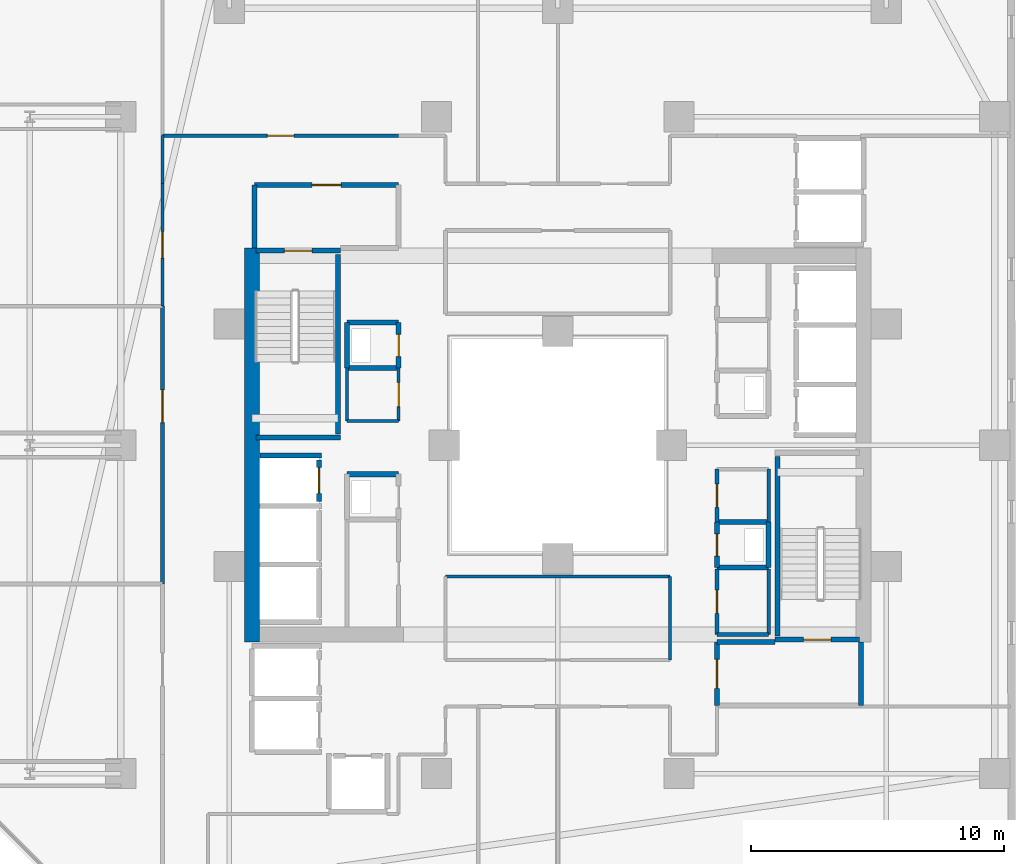
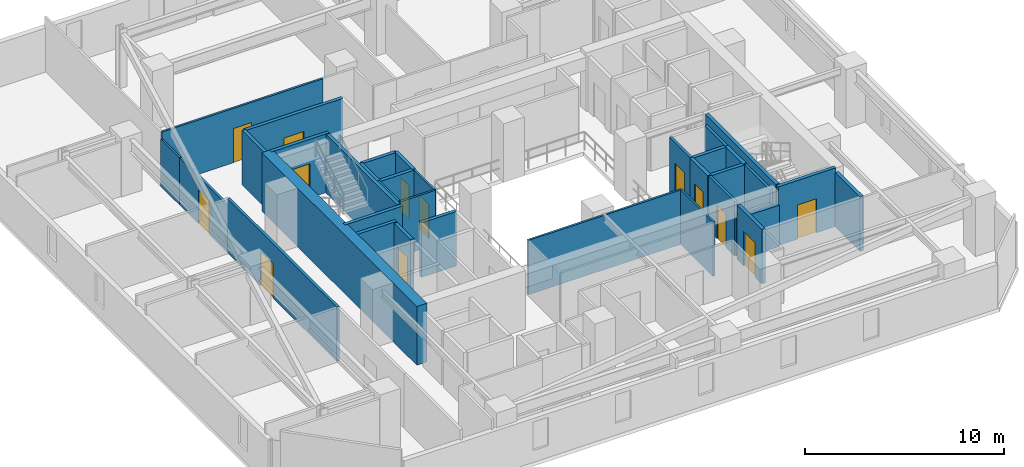
# One storey, part 22 of 31: 36 walls, 13 doors, 13 openings.
"""IFC4 building model written with IfcOpenShell, lengths in metres."""

from ifc_helpers import new_model, si_unit, direction, frame, frame_2d, origin, place, context, subcontext, project, spatial, rectangle, extrude, material, layer, layer_set, type_object, element, fill, save


model = new_model("IFC4")

# Units and contexts
model_context = context("Model", 3, precision=1e-05, world=origin(), true_north=direction((0.0, 1.0)))
body_context = subcontext(model_context, "Body", "Model", "MODEL_VIEW")
ifc_project = project(units=[si_unit("LENGTHUNIT", "METRE"), si_unit("AREAUNIT", "SQUARE_METRE"), si_unit("VOLUMEUNIT", "CUBIC_METRE"), si_unit("PLANEANGLEUNIT", "RADIAN"), si_unit("MASSUNIT", "GRAM", prefix="KILO")], contexts=[model_context])

# Site, building, storey
site_placement = place(None, origin())
site = spatial("IfcSite", under=ifc_project, at=site_placement, CompositionType="ELEMENT")
building_placement = place(site_placement, origin())
building = spatial("IfcBuilding", under=site, at=building_placement, Name="Thornwick Lancets Civic Towers", CompositionType="ELEMENT")
storey_placement = place(building_placement, frame((0.0, 0.0, 90.89990234375)))
storey = spatial("IfcBuildingStorey", under=building, at=storey_placement, Name="L23", CompositionType="ELEMENT", Elevation=90.89990234375)

# Wall, opening, door
ifc_material_1 = material(Name="Concrete blockwork C40/50", Category="masonry")
ifc_layer_1 = layer(ifc_material_1, 0.199951171875, Name="Concrete blockwork C40/50")
ifc_layer_set_1 = layer_set([ifc_layer_1], Name="Concrete blockwork C40/50")
wall_type_1 = type_object("IfcWallType", Name="WALL_COMP_200", PredefinedType="STANDARD", material=ifc_layer_set_1)
wall_1_placement = place(storey_placement, frame((79.050048828125, 24.780029296875, 0.0), z_axis=(0.0, 0.0, 1.0), x_axis=(0.0, 1.0, 0.0)))
wall_1 = element("IfcWall", 1, at=wall_1_placement, inside=storey, type_object=wall_type_1, Name="L23 Hoistway Front Wall FL-B2", PredefinedType="STANDARD", context=body_context, shape_type="SweptSolid", body=[
    extrude(rectangle(XDim=1.639892578125, YDim=0.199951171875, at=frame_2d((0.81982421875, 0.0))), origin(), (0.0, 0.0, 1.0), 3.340087890625),
])
opening_1_placement = place(wall_1_placement, frame((0.31005859375, 0.0, 0.0)))
opening_1 = element("IfcOpeningElement", 2, at=opening_1_placement, cuts=wall_1, Name="Opening LD-FL-B2", PredefinedType="OPENING", context=body_context, shape_type="SweptSolid", body=[
    extrude(rectangle(XDim=1.02001953125, YDim=2.06005859375, at=frame_2d((0.510009765625, 1.030029296875))), frame((0.0, 0.10986328125, 0.0), z_axis=(0.0, -1.0, 0.0), x_axis=(1.0, 0.0, 0.0)), (0.0, 0.0, 1.0), 0.219970703125),
])
ifc_material_2 = material(Name="Brushed bronze stainless steel", Category="steel")
door_type_1 = type_object("IfcDoorType", Name="DOOR_LIFT_SLIDE", OperationType="SLIDING_TO_LEFT", PredefinedType="DOOR", material=ifc_material_2)
door_1_placement = place(opening_1_placement, origin())
door_1 = element("IfcDoor", 3, at=door_1_placement, inside=storey, type_object=door_type_1, Name="L23 Sliding Lift Landing Door LD-FL-B2", OperationType="SLIDING_TO_LEFT", OverallHeight=2.06005859375, OverallWidth=1.02001953125, PredefinedType="DOOR", context=body_context, shape_type="SweptSolid", body=[
    extrude(rectangle(XDim=1.02001953125, YDim=2.06005859375, at=frame_2d((0.510009765625, 1.030029296875))), frame((0.0, 0.02490234375, 0.0), z_axis=(0.0, -1.0, 0.0), x_axis=(1.0, 0.0, 0.0)), (0.0, 0.0, 1.0), 0.050048828125),
])
fill(opening_1, door_1)

# Walls
wall_2_placement = place(storey_placement, frame((76.7119140625, 26.60009765625, 0.0), z_axis=(0.0, 0.0, 1.0), x_axis=(1.0, 0.0, 0.0)))
element("IfcWall", 4, at=wall_2_placement, inside=storey, type_object=wall_type_1, Name="L23 Hoistway Shaft Wall FL-B2 N", PredefinedType="STANDARD", context=body_context, shape_type="SweptSolid", body=[
    extrude(rectangle(XDim=2.43603515625, YDim=0.199951171875, at=frame_2d((1.218017578125, 0.0))), origin(), (0.0, 0.0, 1.0), 3.340087890625),
])
wall_3_placement = place(storey_placement, frame((100.5, 16.699951171875, 0.0), z_axis=(0.0, 0.0, 1.0), x_axis=(0.0, 1.0, 0.0)))
element("IfcWall", 5, at=wall_3_placement, inside=storey, type_object=wall_type_1, Name="L23 Partition L23-B-FFLOB1 E2", PredefinedType="STANDARD", context=body_context, shape_type="SweptSolid", body=[
    extrude(rectangle(XDim=2.5, YDim=0.199951171875, at=frame_2d((1.25, 0.0))), origin(), (0.0, 0.0, 1.0), 3.340087890625),
])
wall_4_placement = place(storey_placement, frame((97.10009765625, 19.199951171875, 0.0), z_axis=(0.0, 0.0, 1.0), x_axis=(-1.0, 0.0, 0.0)))
element("IfcWall", 6, at=wall_4_placement, inside=storey, type_object=wall_type_1, Name="L23 Partition L23-B-FFLOB1 E3", PredefinedType="STANDARD", context=body_context, shape_type="SweptSolid", body=[
    extrude(rectangle(XDim=2.300048828125, YDim=0.199951171875, at=frame_2d((1.14990234375, 0.0))), origin(), (0.0, 0.0, 1.0), 2.545166015625),
])

# Wall, opening, door
wall_5_placement = place(storey_placement, frame((94.800048828125, 19.199951171875, 0.0), z_axis=(0.0, 0.0, 1.0), x_axis=(0.0, -1.0, 0.0)))
wall_5 = element("IfcWall", 7, at=wall_5_placement, inside=storey, type_object=wall_type_1, Name="L23 Partition L23-B-FFLOB1 E4", PredefinedType="STANDARD", context=body_context, shape_type="SweptSolid", body=[
    extrude(rectangle(XDim=2.5, YDim=0.199951171875, at=frame_2d((1.25, 0.0))), origin(), (0.0, 0.0, 1.0), 3.340087890625),
])
opening_2_placement = place(wall_5_placement, frame((0.675048828125, 0.0, 0.0)))
opening_2 = element("IfcOpeningElement", 8, at=opening_2_placement, cuts=wall_5, Name="Opening D-L23-1069", PredefinedType="OPENING", context=body_context, shape_type="SweptSolid", body=[
    extrude(rectangle(XDim=1.14990234375, YDim=2.10009765625, at=frame_2d((0.574951171875, 1.050048828125))), frame((0.0, 0.10986328125, 0.0), z_axis=(0.0, -1.0, 0.0), x_axis=(1.0, 0.0, 0.0)), (0.0, 0.0, 1.0), 0.219970703125),
])
ifc_material_3 = material(Name="Glazed fire-resisting steel", Category="steel")
door_type_2 = type_object("IfcDoorType", Name="DOOR_LOBBY_FD60", OperationType="NOTDEFINED", PredefinedType="DOOR", material=ifc_material_3)
door_2_placement = place(opening_2_placement, origin())
door_2 = element("IfcDoor", 9, at=door_2_placement, inside=storey, type_object=door_type_2, Name="L23 East Firefighting Lobby 1 Door", OperationType="SINGLE_SWING_RIGHT", OverallHeight=2.10009765625, OverallWidth=1.14990234375, PredefinedType="DOOR", context=body_context, shape_type="SweptSolid", body=[
    extrude(rectangle(XDim=1.14990234375, YDim=2.10009765625, at=frame_2d((0.574951171875, 1.050048828125))), frame((0.0, 0.02490234375, 0.0), z_axis=(0.0, -1.0, 0.0), x_axis=(1.0, 0.0, 0.0)), (0.0, 0.0, 1.0), 0.050048828125),
])
fill(opening_2, door_2)

wall_6_placement = place(storey_placement, frame((82.199951171875, 37.300048828125, 0.0), z_axis=(0.0, 0.0, 1.0), x_axis=(-1.0, 0.0, 0.0)))
wall_6 = element("IfcWall", 10, at=wall_6_placement, inside=storey, type_object=wall_type_1, Name="L23 Partition L23-B-FFLOB2 E3", PredefinedType="STANDARD", context=body_context, shape_type="SweptSolid", body=[
    extrude(rectangle(XDim=5.699951171875, YDim=0.199951171875, at=frame_2d((2.85009765625, 0.0))), origin(), (0.0, 0.0, 1.0), 3.340087890625),
])
opening_3_placement = place(wall_6_placement, frame((2.27490234375, 0.0, 0.0)))
opening_3 = element("IfcOpeningElement", 11, at=opening_3_placement, cuts=wall_6, Name="Opening D-L23-1070", PredefinedType="OPENING", context=body_context, shape_type="SweptSolid", body=[
    extrude(rectangle(XDim=1.14990234375, YDim=2.10009765625, at=frame_2d((0.574951171875, 1.050048828125))), frame((0.0, 0.10986328125, 0.0), z_axis=(0.0, -1.0, 0.0), x_axis=(1.0, 0.0, 0.0)), (0.0, 0.0, 1.0), 0.219970703125),
])
door_3_placement = place(opening_3_placement, origin())
door_3 = element("IfcDoor", 12, at=door_3_placement, inside=storey, type_object=door_type_2, Name="L23 West Firefighting Lobby 2 Door", OperationType="SINGLE_SWING_LEFT", OverallHeight=2.10009765625, OverallWidth=1.14990234375, PredefinedType="DOOR", context=body_context, shape_type="SweptSolid", body=[
    extrude(rectangle(XDim=1.14990234375, YDim=2.10009765625, at=frame_2d((0.574951171875, 1.050048828125))), frame((0.0, 0.02490234375, 0.0), z_axis=(0.0, -1.0, 0.0), x_axis=(1.0, 0.0, 0.0)), (0.0, 0.0, 1.0), 0.050048828125),
])
fill(opening_3, door_3)

# Walls
wall_7_placement = place(storey_placement, frame((76.5, 37.300048828125, 0.0), z_axis=(0.0, 0.0, 1.0), x_axis=(0.0, -1.0, 0.0)))
element("IfcWall", 13, at=wall_7_placement, inside=storey, type_object=wall_type_1, Name="L23 Partition L23-B-FFLOB2 E4", PredefinedType="STANDARD", context=body_context, shape_type="SweptSolid", body=[
    extrude(rectangle(XDim=2.5, YDim=0.199951171875, at=frame_2d((1.25, 0.0))), origin(), (0.0, 0.0, 1.0), 3.340087890625),
])
wall_8_placement = place(storey_placement, frame((94.800048828125, 22.14990234375, 0.0), z_axis=(0.0, 0.0, 1.0), x_axis=(1.0, 0.0, 0.0)))
element("IfcWall", 14, at=wall_8_placement, inside=storey, type_object=wall_type_1, Name="L23 Partition L23-B-RISER1 E1", PredefinedType="STANDARD", context=body_context, shape_type="SweptSolid", body=[
    extrude(rectangle(XDim=2.050048828125, YDim=0.199951171875, at=frame_2d((1.02490234375, 0.0))), origin(), (0.0, 0.0, 1.0), 3.340087890625),
])
wall_9_placement = place(storey_placement, frame((96.85009765625, 22.14990234375, 0.0), z_axis=(0.0, 0.0, 1.0), x_axis=(0.0, 1.0, 0.0)))
element("IfcWall", 15, at=wall_9_placement, inside=storey, type_object=wall_type_1, Name="L23 Partition L23-B-RISER1 E2", PredefinedType="STANDARD", context=body_context, shape_type="SweptSolid", body=[
    extrude(rectangle(XDim=1.800048828125, YDim=0.199951171875, at=frame_2d((0.89990234375, 0.0))), origin(), (0.0, 0.0, 1.0), 3.340087890625),
])
wall_10_placement = place(storey_placement, frame((96.85009765625, 23.949951171875, 0.0), z_axis=(0.0, 0.0, 1.0), x_axis=(-1.0, 0.0, 0.0)))
element("IfcWall", 16, at=wall_10_placement, inside=storey, type_object=wall_type_1, Name="L23 Partition L23-B-RISER1 E3", PredefinedType="STANDARD", context=body_context, shape_type="SweptSolid", body=[
    extrude(rectangle(XDim=2.050048828125, YDim=0.199951171875, at=frame_2d((1.02490234375, 0.0))), origin(), (0.0, 0.0, 1.0), 3.340087890625),
])

# Wall, opening, door
wall_11_placement = place(storey_placement, frame((94.800048828125, 23.949951171875, 0.0), z_axis=(0.0, 0.0, 1.0), x_axis=(0.0, -1.0, 0.0)))
wall_11 = element("IfcWall", 17, at=wall_11_placement, inside=storey, type_object=wall_type_1, Name="L23 Partition L23-B-RISER1 E4", PredefinedType="STANDARD", context=body_context, shape_type="SweptSolid", body=[
    extrude(rectangle(XDim=1.800048828125, YDim=0.199951171875, at=frame_2d((0.89990234375, 0.0))), origin(), (0.0, 0.0, 1.0), 3.340087890625),
])
opening_4_placement = place(wall_11_placement, frame((0.4599609375, 0.0, 0.0)))
opening_4 = element("IfcOpeningElement", 18, at=opening_4_placement, cuts=wall_11, Name="Opening D-L23-1072", PredefinedType="OPENING", context=body_context, shape_type="SweptSolid", body=[
    extrude(rectangle(XDim=0.8798828125, YDim=2.0400390625, at=frame_2d((0.43994140625, 1.02001953125))), frame((0.0, 0.10986328125, 0.0), z_axis=(0.0, -1.0, 0.0), x_axis=(1.0, 0.0, 0.0)), (0.0, 0.0, 1.0), 0.219970703125),
])
ifc_material_4 = material(Name="Steel riser access doorset", Category="steel")
door_type_3 = type_object("IfcDoorType", Name="DOOR_RISER_850", OperationType="NOTDEFINED", PredefinedType="DOOR", material=ifc_material_4)
door_4_placement = place(opening_4_placement, origin())
door_4 = element("IfcDoor", 19, at=door_4_placement, inside=storey, type_object=door_type_3, Name="L23 East Electrical Riser 1 Door", OperationType="SINGLE_SWING_LEFT", OverallHeight=2.0400390625, OverallWidth=0.8798828125, PredefinedType="DOOR", context=body_context, shape_type="SweptSolid", body=[
    extrude(rectangle(XDim=0.8798828125, YDim=2.0400390625, at=frame_2d((0.43994140625, 1.02001953125))), frame((0.0, 0.02490234375, 0.0), z_axis=(0.0, -1.0, 0.0), x_axis=(1.0, 0.0, 0.0)), (0.0, 0.0, 1.0), 0.050048828125),
])
fill(opening_4, door_4)

# Walls
for number, where, z_axis, x_axis, name in (
    (20, (82.199951171875, 25.85009765625, 0.0), (0.0, 0.0, 1.0), (-1.0, 0.0, 0.0), "L23 Partition L23-B-DUCT2 E3"),
    (21, (80.14990234375, 30.050048828125, 0.0), (0.0, 0.0, 1.0), (1.0, 0.0, 0.0), "L23 Partition L23-B-RISER2 E1"),
):
    element("IfcWall", number, at=place(storey_placement, frame(where, z_axis=z_axis, x_axis=x_axis)), inside=storey, type_object=wall_type_1, Name=name, PredefinedType="STANDARD", context=body_context, shape_type="SweptSolid", body=[
        extrude(rectangle(XDim=2.050048828125, YDim=0.199951171875, at=frame_2d((1.02490234375, 0.0))), origin(), (0.0, 0.0, 1.0), 3.340087890625),
    ])

# Wall, opening, door
wall_12_placement = place(storey_placement, frame((82.199951171875, 30.050048828125, 0.0), z_axis=(0.0, 0.0, 1.0), x_axis=(0.0, 1.0, 0.0)))
wall_12 = element("IfcWall", 22, at=wall_12_placement, inside=storey, type_object=wall_type_1, Name="L23 Partition L23-B-RISER2 E2", PredefinedType="STANDARD", context=body_context, shape_type="SweptSolid", body=[
    extrude(rectangle(XDim=1.800048828125, YDim=0.199951171875, at=frame_2d((0.89990234375, 0.0))), origin(), (0.0, 0.0, 1.0), 3.340087890625),
])
opening_5_placement = place(wall_12_placement, frame((0.4599609375, 0.0, 0.0)))
opening_5 = element("IfcOpeningElement", 23, at=opening_5_placement, cuts=wall_12, Name="Opening D-L23-1074", PredefinedType="OPENING", context=body_context, shape_type="SweptSolid", body=[
    extrude(rectangle(XDim=0.8798828125, YDim=2.0400390625, at=frame_2d((0.43994140625, 1.02001953125))), frame((0.0, 0.10986328125, 0.0), z_axis=(0.0, -1.0, 0.0), x_axis=(1.0, 0.0, 0.0)), (0.0, 0.0, 1.0), 0.219970703125),
])
door_5_placement = place(opening_5_placement, origin())
door_5 = element("IfcDoor", 24, at=door_5_placement, inside=storey, type_object=door_type_3, Name="L23 West Service Riser 2 Door", OperationType="SINGLE_SWING_LEFT", OverallHeight=2.0400390625, OverallWidth=0.8798828125, PredefinedType="DOOR", context=body_context, shape_type="SweptSolid", body=[
    extrude(rectangle(XDim=0.8798828125, YDim=2.0400390625, at=frame_2d((0.43994140625, 1.02001953125))), frame((0.0, 0.02490234375, 0.0), z_axis=(0.0, -1.0, 0.0), x_axis=(1.0, 0.0, 0.0)), (0.0, 0.0, 1.0), 0.050048828125),
])
fill(opening_5, door_5)

# Walls
wall_13_placement = place(storey_placement, frame((82.199951171875, 31.85009765625, 0.0), z_axis=(0.0, 0.0, 1.0), x_axis=(-1.0, 0.0, 0.0)))
element("IfcWall", 25, at=wall_13_placement, inside=storey, type_object=wall_type_1, Name="L23 Partition L23-B-RISER2 E3", PredefinedType="STANDARD", context=body_context, shape_type="SweptSolid", body=[
    extrude(rectangle(XDim=2.050048828125, YDim=0.199951171875, at=frame_2d((1.02490234375, 0.0))), origin(), (0.0, 0.0, 1.0), 3.340087890625),
])
wall_14_placement = place(storey_placement, frame((80.14990234375, 31.85009765625, 0.0), z_axis=(0.0, 0.0, 1.0), x_axis=(0.0, -1.0, 0.0)))
element("IfcWall", 26, at=wall_14_placement, inside=storey, type_object=wall_type_1, Name="L23 Partition L23-B-RISER2 E4", PredefinedType="STANDARD", context=body_context, shape_type="SweptSolid", body=[
    extrude(rectangle(XDim=1.800048828125, YDim=0.199951171875, at=frame_2d((0.89990234375, 0.0))), origin(), (0.0, 0.0, 1.0), 3.340087890625),
])
ifc_material_5 = material(Name="Concrete C60/75", Category="concrete")
ifc_layer_2 = layer(ifc_material_5, 0.60009765625, Name="Concrete C60/75")
ifc_layer_set_2 = layer_set([ifc_layer_2], Name="Concrete C60/75")
wall_type_2 = type_object("IfcWallType", Name="WALL_CORE_600", PredefinedType="SHEAR", material=ifc_layer_set_2)
wall_15_placement = place(storey_placement, frame((76.39990234375, 19.199951171875, 0.0), z_axis=(0.0, 0.0, 1.0), x_axis=(0.0, 1.0, 0.0)))
element("IfcWall", 27, at=wall_15_placement, inside=storey, type_object=wall_type_2, Name="L23 Split Core B2 Shear Wall W", PredefinedType="SHEAR", context=body_context, shape_type="SweptSolid", body=[
    extrude(rectangle(XDim=15.60009765625, YDim=0.60009765625, at=frame_2d((7.800048828125, 0.0))), origin(), (0.0, 0.0, 1.0), 3.60009765625),
])
ifc_material_6 = material(Name="Acoustic gypsum board partition")
ifc_layer_3 = layer(ifc_material_6, 0.1201171875, Name="Acoustic gypsum board partition")
ifc_layer_set_3 = layer_set([ifc_layer_3], Name="Acoustic gypsum board partition")
wall_type_3 = type_object("IfcWallType", Name="WALL_PART_120", PredefinedType="PARTITIONING", material=ifc_layer_set_3)
wall_16_placement = place(storey_placement, frame((82.199951171875, 27.949951171875, 0.0), z_axis=(0.0, 0.0, 1.0), x_axis=(-1.0, 0.0, 0.0)))
element("IfcWall", 28, at=wall_16_placement, inside=storey, type_object=wall_type_3, Name="L23 Partition L23-B-ITR E1", PredefinedType="PARTITIONING", context=body_context, shape_type="SweptSolid", body=[
    extrude(rectangle(XDim=2.050048828125, YDim=0.1201171875, at=frame_2d((1.02490234375, 0.0))), origin(), (0.0, 0.0, 1.0), 3.340087890625),
])
wall_17_placement = place(storey_placement, frame((80.14990234375, 27.949951171875, 0.0), z_axis=(0.0, 0.0, 1.0), x_axis=(0.0, 1.0, 0.0)))
element("IfcWall", 29, at=wall_17_placement, inside=storey, type_object=wall_type_3, Name="L23 Partition L23-B-ITR E2", PredefinedType="PARTITIONING", context=body_context, shape_type="SweptSolid", body=[
    extrude(rectangle(XDim=2.10009765625, YDim=0.1201171875, at=frame_2d((1.050048828125, 0.0))), origin(), (0.0, 0.0, 1.0), 3.340087890625),
])

# Wall, opening, door
wall_18_placement = place(storey_placement, frame((82.199951171875, 30.050048828125, 0.0), z_axis=(0.0, 0.0, 1.0), x_axis=(0.0, -1.0, 0.0)))
wall_18 = element("IfcWall", 30, at=wall_18_placement, inside=storey, type_object=wall_type_3, Name="L23 Partition L23-B-ITR E4", PredefinedType="PARTITIONING", context=body_context, shape_type="SweptSolid", body=[
    extrude(rectangle(XDim=2.10009765625, YDim=0.1201171875, at=frame_2d((1.050048828125, 0.0))), origin(), (0.0, 0.0, 1.0), 3.340087890625),
])
opening_6_placement = place(wall_18_placement, frame((0.574951171875, 0.0, 0.0)))
opening_6 = element("IfcOpeningElement", 31, at=opening_6_placement, cuts=wall_18, Name="Opening D-L23-1080", PredefinedType="OPENING", context=body_context, shape_type="SweptSolid", body=[
    extrude(rectangle(XDim=0.949951171875, YDim=2.10009765625, at=frame_2d((0.47509765625, 1.050048828125))), frame((0.0, 0.070068359375, 0.0), z_axis=(0.0, -1.0, 0.0), x_axis=(1.0, 0.0, 0.0)), (0.0, 0.0, 1.0), 0.14013671875),
])
ifc_material_7 = material(Name="European oak acoustic doorset")
door_type_4 = type_object("IfcDoorType", Name="DOOR_OFFICE_950", OperationType="NOTDEFINED", PredefinedType="DOOR", material=ifc_material_7)
door_6_placement = place(opening_6_placement, origin())
door_6 = element("IfcDoor", 32, at=door_6_placement, inside=storey, type_object=door_type_4, Name="L23 Tower B Comms Patch Room Door", OperationType="SINGLE_SWING_LEFT", OverallHeight=2.10009765625, OverallWidth=0.949951171875, PredefinedType="DOOR", context=body_context, shape_type="SweptSolid", body=[
    extrude(rectangle(XDim=0.949951171875, YDim=2.10009765625, at=frame_2d((0.47509765625, 1.050048828125))), frame((0.0, 0.02490234375, 0.0), z_axis=(0.0, -1.0, 0.0), x_axis=(1.0, 0.0, 0.0)), (0.0, 0.0, 1.0), 0.050048828125),
])
fill(opening_6, door_6)

wall_19_placement = place(storey_placement, frame((82.199951171875, 39.25, 0.0), z_axis=(0.0, 0.0, 1.0), x_axis=(-1.0, 0.0, 0.0)))
wall_19 = element("IfcWall", 33, at=wall_19_placement, inside=storey, type_object=wall_type_3, Name="L23 Partition L23-B-E3 E3", PredefinedType="PARTITIONING", context=body_context, shape_type="SweptSolid", body=[
    extrude(rectangle(XDim=9.349853515625, YDim=0.1201171875, at=frame_2d((4.6748046875, 0.0))), origin(), (0.0, 0.0, 1.0), 3.340087890625),
])
opening_7_placement = place(wall_19_placement, frame((4.14990234375, 0.0, 0.0)))
opening_7 = element("IfcOpeningElement", 34, at=opening_7_placement, cuts=wall_19, Name="Opening D-L23-1097", PredefinedType="OPENING", context=body_context, shape_type="SweptSolid", body=[
    extrude(rectangle(XDim=1.050048828125, YDim=2.10009765625, at=frame_2d((0.52490234375, 1.050048828125))), frame((0.0, 0.070068359375, 0.0), z_axis=(0.0, -1.0, 0.0), x_axis=(1.0, 0.0, 0.0)), (0.0, 0.0, 1.0), 0.14013671875),
])
ifc_material_8 = material(Name="Glazed European oak executive doorset")
door_type_5 = type_object("IfcDoorType", Name="DOOR_OFFICE_1050", OperationType="NOTDEFINED", PredefinedType="DOOR", material=ifc_material_8)
door_7_placement = place(opening_7_placement, origin())
door_7 = element("IfcDoor", 35, at=door_7_placement, inside=storey, type_object=door_type_5, Name="L23 Tower B Civic Seminar Room Door", OperationType="SINGLE_SWING_RIGHT", OverallHeight=2.10009765625, OverallWidth=1.050048828125, PredefinedType="DOOR", context=body_context, shape_type="SweptSolid", body=[
    extrude(rectangle(XDim=1.050048828125, YDim=2.10009765625, at=frame_2d((0.52490234375, 1.050048828125))), frame((0.0, 0.02490234375, 0.0), z_axis=(0.0, -1.0, 0.0), x_axis=(1.0, 0.0, 0.0)), (0.0, 0.0, 1.0), 0.050048828125),
])
fill(opening_7, door_7)

# Walls
wall_20_placement = place(storey_placement, frame((84.050048828125, 21.800048828125, 0.0), z_axis=(0.0, 0.0, 1.0), x_axis=(1.0, 0.0, 0.0)))
element("IfcWall", 36, at=wall_20_placement, inside=storey, type_object=wall_type_3, Name="L23 Partition L23-B-ATR-W E2", PredefinedType="PARTITIONING", context=body_context, shape_type="SweptSolid", body=[
    extrude(rectangle(XDim=8.89990234375, YDim=0.1201171875, at=frame_2d((4.449951171875, 0.0))), origin(), (0.0, 0.0, 1.0), 3.340087890625),
])
wall_21_placement = place(storey_placement, frame((92.949951171875, 21.800048828125, 0.0), z_axis=(0.0, 0.0, 1.0), x_axis=(0.0, -1.0, 0.0)))
element("IfcWall", 37, at=wall_21_placement, inside=storey, type_object=wall_type_3, Name="L23 Partition L23-B-ATR-W E3", PredefinedType="PARTITIONING", context=body_context, shape_type="SweptSolid", body=[
    extrude(rectangle(XDim=3.300048828125, YDim=0.1201171875, at=frame_2d((1.64990234375, 0.0))), origin(), (0.0, 0.0, 1.0), 3.340087890625),
])
wall_22_placement = place(storey_placement, frame((72.85009765625, 39.25, 0.0), z_axis=(0.0, 0.0, 1.0), x_axis=(0.0, -1.0, 0.0)))
element("IfcWall", 38, at=wall_22_placement, inside=storey, type_object=wall_type_3, Name="L23 Partition L23-B-N-OFF E9", PredefinedType="PARTITIONING", context=body_context, shape_type="SweptSolid", body=[
    extrude(rectangle(XDim=1.89990234375, YDim=0.1201171875, at=frame_2d((0.949951171875, 0.0))), origin(), (0.0, 0.0, 1.0), 2.89501953125),
])

# Wall, opening, door
wall_23_placement = place(storey_placement, frame((72.85009765625, 37.35009765625, 0.0), z_axis=(0.0, 0.0, 1.0), x_axis=(0.0, -1.0, 0.0)))
wall_23 = element("IfcWall", 39, at=wall_23_placement, inside=storey, type_object=wall_type_3, Name="L23 Partition L23-B-N-OFF E10", PredefinedType="PARTITIONING", context=body_context, shape_type="SweptSolid", body=[
    extrude(rectangle(XDim=4.85009765625, YDim=0.1201171875, at=frame_2d((2.425048828125, 0.0))), origin(), (0.0, 0.0, 1.0), 2.89501953125),
])
opening_8_placement = place(wall_23_placement, frame((1.89990234375, 0.0, 0.0)))
opening_8 = element("IfcOpeningElement", 40, at=opening_8_placement, cuts=wall_23, Name="Opening D-L23-1102", PredefinedType="OPENING", context=body_context, shape_type="SweptSolid", body=[
    extrude(rectangle(XDim=1.050048828125, YDim=2.10009765625, at=frame_2d((0.52490234375, 1.050048828125))), frame((0.0, 0.070068359375, 0.0), z_axis=(0.0, -1.0, 0.0), x_axis=(1.0, 0.0, 0.0)), (0.0, 0.0, 1.0), 0.14013671875),
])
door_8_placement = place(opening_8_placement, origin())
door_8 = element("IfcDoor", 41, at=door_8_placement, inside=storey, type_object=door_type_5, Name="L23 Tower B North-East Policy Office Door", OperationType="SINGLE_SWING_LEFT", OverallHeight=2.10009765625, OverallWidth=1.050048828125, PredefinedType="DOOR", context=body_context, shape_type="SweptSolid", body=[
    extrude(rectangle(XDim=1.050048828125, YDim=2.10009765625, at=frame_2d((0.52490234375, 1.050048828125))), frame((0.0, 0.02490234375, 0.0), z_axis=(0.0, -1.0, 0.0), x_axis=(1.0, 0.0, 0.0)), (0.0, 0.0, 1.0), 0.050048828125),
])
fill(opening_8, door_8)

# Walls
ifc_material_9 = material(Name="Twin-stud acoustic gypsum board")
ifc_layer_4 = layer(ifc_material_9, 0.14990234375, Name="Twin-stud acoustic gypsum board")
ifc_layer_set_4 = layer_set([ifc_layer_4], Name="Twin-stud acoustic gypsum board")
wall_type_4 = type_object("IfcWallType", Name="WALL_PART_150", PredefinedType="PARTITIONING", material=ifc_layer_set_4)
wall_24_placement = place(storey_placement, frame((94.800048828125, 19.5, 0.0), z_axis=(0.0, 0.0, 1.0), x_axis=(1.0, 0.0, 0.0)))
element("IfcWall", 42, at=wall_24_placement, inside=storey, type_object=wall_type_4, Name="L23 Partition L23-B-MWC E1", PredefinedType="PARTITIONING", context=body_context, shape_type="SweptSolid", body=[
    extrude(rectangle(XDim=2.050048828125, YDim=0.14990234375, at=frame_2d((1.02490234375, 0.0))), origin(), (0.0, 0.0, 1.0), 2.545166015625),
])
wall_25_placement = place(storey_placement, frame((96.85009765625, 19.5, 0.0), z_axis=(0.0, 0.0, 1.0), x_axis=(0.0, 1.0, 0.0)))
element("IfcWall", 43, at=wall_25_placement, inside=storey, type_object=wall_type_4, Name="L23 Partition L23-B-MWC E2", PredefinedType="PARTITIONING", context=body_context, shape_type="SweptSolid", body=[
    extrude(rectangle(XDim=2.60009765625, YDim=0.14990234375, at=frame_2d((1.300048828125, 0.0))), origin(), (0.0, 0.0, 1.0), 3.340087890625),
])

# Wall, opening, door
wall_26_placement = place(storey_placement, frame((94.800048828125, 22.10009765625, 0.0), z_axis=(0.0, 0.0, 1.0), x_axis=(0.0, -1.0, 0.0)))
wall_26 = element("IfcWall", 44, at=wall_26_placement, inside=storey, type_object=wall_type_4, Name="L23 Partition L23-B-MWC E4", PredefinedType="PARTITIONING", context=body_context, shape_type="SweptSolid", body=[
    extrude(rectangle(XDim=2.60009765625, YDim=0.14990234375, at=frame_2d((1.300048828125, 0.0))), origin(), (0.0, 0.0, 1.0), 3.340087890625),
])
opening_9_placement = place(wall_26_placement, frame((0.840087890625, 0.0, 0.0)))
opening_9 = element("IfcOpeningElement", 45, at=opening_9_placement, cuts=wall_26, Name="Opening D-L23-1075", PredefinedType="OPENING", context=body_context, shape_type="SweptSolid", body=[
    extrude(rectangle(XDim=0.919921875, YDim=2.080078125, at=frame_2d((0.4599609375, 1.0400390625))), frame((0.0, 0.0849609375, 0.0), z_axis=(0.0, -1.0, 0.0), x_axis=(1.0, 0.0, 0.0)), (0.0, 0.0, 1.0), 0.169921875),
])
ifc_material_10 = material(Name="Moisture-resistant oak doorset")
door_type_6 = type_object("IfcDoorType", Name="DOOR_WC_900", OperationType="NOTDEFINED", PredefinedType="DOOR", material=ifc_material_10)
door_9_placement = place(opening_9_placement, origin())
door_9 = element("IfcDoor", 46, at=door_9_placement, inside=storey, type_object=door_type_6, Name="L23 Tower B Male WC Door", OperationType="SINGLE_SWING_RIGHT", OverallHeight=2.080078125, OverallWidth=0.919921875, PredefinedType="DOOR", context=body_context, shape_type="SweptSolid", body=[
    extrude(rectangle(XDim=0.919921875, YDim=2.080078125, at=frame_2d((0.4599609375, 1.0400390625))), frame((0.0, 0.02490234375, 0.0), z_axis=(0.0, -1.0, 0.0), x_axis=(1.0, 0.0, 0.0)), (0.0, 0.0, 1.0), 0.050048828125),
])
fill(opening_9, door_9)

wall_27_placement = place(storey_placement, frame((94.800048828125, 23.949951171875, 0.0), z_axis=(0.0, 0.0, 1.0), x_axis=(0.0, 1.0, 0.0)))
wall_27 = element("IfcWall", 47, at=wall_27_placement, inside=storey, type_object=wall_type_4, Name="L23 Partition L23-B-AWC E1", PredefinedType="PARTITIONING", context=body_context, shape_type="SweptSolid", body=[
    extrude(rectangle(XDim=2.10009765625, YDim=0.14990234375, at=frame_2d((1.050048828125, 0.0))), origin(), (0.0, 0.0, 1.0), 3.340087890625),
])
opening_10_placement = place(wall_27_placement, frame((0.590087890625, 0.0, 0.0)))
opening_10 = element("IfcOpeningElement", 48, at=opening_10_placement, cuts=wall_27, Name="Opening D-L23-1076", PredefinedType="OPENING", context=body_context, shape_type="SweptSolid", body=[
    extrude(rectangle(XDim=0.919921875, YDim=2.080078125, at=frame_2d((0.4599609375, 1.0400390625))), frame((0.0, 0.0849609375, 0.0), z_axis=(0.0, -1.0, 0.0), x_axis=(1.0, 0.0, 0.0)), (0.0, 0.0, 1.0), 0.169921875),
])
door_10_placement = place(opening_10_placement, origin())
door_10 = element("IfcDoor", 49, at=door_10_placement, inside=storey, type_object=door_type_6, Name="L23 Tower B Accessible WC Door", OperationType="SINGLE_SWING_LEFT", OverallHeight=2.080078125, OverallWidth=0.919921875, PredefinedType="DOOR", context=body_context, shape_type="SweptSolid", body=[
    extrude(rectangle(XDim=0.919921875, YDim=2.080078125, at=frame_2d((0.4599609375, 1.0400390625))), frame((0.0, 0.02490234375, 0.0), z_axis=(0.0, -1.0, 0.0), x_axis=(1.0, 0.0, 0.0)), (0.0, 0.0, 1.0), 0.050048828125),
])
fill(opening_10, door_10)

# Wall
wall_28_placement = place(storey_placement, frame((96.85009765625, 26.050048828125, 0.0), z_axis=(0.0, 0.0, 1.0), x_axis=(0.0, -1.0, 0.0)))
element("IfcWall", 50, at=wall_28_placement, inside=storey, type_object=wall_type_4, Name="L23 Partition L23-B-AWC E3", PredefinedType="PARTITIONING", context=body_context, shape_type="SweptSolid", body=[
    extrude(rectangle(XDim=2.10009765625, YDim=0.14990234375, at=frame_2d((1.050048828125, 0.0))), origin(), (0.0, 0.0, 1.0), 3.340087890625),
])

# Wall, opening, door
wall_29_placement = place(storey_placement, frame((72.85009765625, 32.5, 0.0), z_axis=(0.0, 0.0, 1.0), x_axis=(0.0, -1.0, 0.0)))
wall_29 = element("IfcWall", 51, at=wall_29_placement, inside=storey, type_object=wall_type_4, Name="L23 Partition L23-B-N-MEET E8", PredefinedType="PARTITIONING", context=body_context, shape_type="SweptSolid", body=[
    extrude(rectangle(XDim=11.0, YDim=0.14990234375, at=frame_2d((5.5, 0.0))), origin(), (0.0, 0.0, 1.0), 3.340087890625),
])
opening_11_placement = place(wall_29_placement, frame((3.31005859375, 0.0, 0.0)))
opening_11 = element("IfcOpeningElement", 52, at=opening_11_placement, cuts=wall_29, Name="Opening D-L23-1101", PredefinedType="OPENING", context=body_context, shape_type="SweptSolid", body=[
    extrude(rectangle(XDim=1.300048828125, YDim=2.1201171875, at=frame_2d((0.64990234375, 1.06005859375))), frame((0.0, 0.0849609375, 0.0), z_axis=(0.0, -1.0, 0.0), x_axis=(1.0, 0.0, 0.0)), (0.0, 0.0, 1.0), 0.169921875),
])
ifc_material_11 = material(Name="Acoustic oak leaf-and-a-half doorset")
door_type_7 = type_object("IfcDoorType", Name="DOOR_MEET_1300", OperationType="DOUBLE_DOOR_SINGLE_SWING", PredefinedType="DOOR", material=ifc_material_11)
door_11_placement = place(opening_11_placement, origin())
door_11 = element("IfcDoor", 53, at=door_11_placement, inside=storey, type_object=door_type_7, Name="L23 Tower B North Briefing Chamber Door", OperationType="DOUBLE_DOOR_SINGLE_SWING", OverallHeight=2.1201171875, OverallWidth=1.300048828125, PredefinedType="DOOR", context=body_context, shape_type="SweptSolid", body=[
    extrude(rectangle(XDim=1.300048828125, YDim=2.1201171875, at=frame_2d((0.64990234375, 1.06005859375))), frame((0.0, 0.02490234375, 0.0), z_axis=(0.0, -1.0, 0.0), x_axis=(1.0, 0.0, 0.0)), (0.0, 0.0, 1.0), 0.050048828125),
])
fill(opening_11, door_11)

ifc_material_12 = material(Name="Concrete C40/50", Category="concrete")
ifc_layer_5 = layer(ifc_material_12, 0.199951171875, Name="Concrete C40/50")
ifc_layer_set_5 = layer_set([ifc_layer_5], Name="Concrete C40/50")
wall_type_5 = type_object("IfcWallType", Name="WALL_SHAFT_200", PredefinedType="SHEAR", material=ifc_layer_set_5)
wall_30_placement = place(storey_placement, frame((100.449951171875, 19.300048828125, 0.0), z_axis=(0.0, 0.0, 1.0), x_axis=(-1.0, 0.0, 0.0)))
wall_30 = element("IfcWall", 54, at=wall_30_placement, inside=storey, type_object=wall_type_5, Name="L23 ST-B1 Fire Stair Core Wall NEAR", PredefinedType="SHEAR", context=body_context, shape_type="SweptSolid", body=[
    extrude(rectangle(XDim=3.349853515625, YDim=0.199951171875, at=frame_2d((1.6748046875, 0.0))), origin(), (0.0, 0.0, 1.0), 3.60009765625),
])
opening_12_placement = place(wall_30_placement, frame((1.125, 0.0, 0.0)))
opening_12 = element("IfcOpeningElement", 55, at=opening_12_placement, cuts=wall_30, Name="Opening D-ST-B1-L23", PredefinedType="OPENING", context=body_context, shape_type="SweptSolid", body=[
    extrude(rectangle(XDim=1.10009765625, YDim=2.10009765625, at=frame_2d((0.550048828125, 1.050048828125))), frame((0.0, 0.10986328125, 0.0), z_axis=(0.0, -1.0, 0.0), x_axis=(1.0, 0.0, 0.0)), (0.0, 0.0, 1.0), 0.219970703125),
])
ifc_material_13 = material(Name="Fire-resisting steel and hardwood", Category="steel")
door_type_8 = type_object("IfcDoorType", Name="DOOR_STAIR_FD60", OperationType="NOTDEFINED", PredefinedType="DOOR", material=ifc_material_13)
door_12_placement = place(opening_12_placement, origin())
door_12 = element("IfcDoor", 56, at=door_12_placement, inside=storey, type_object=door_type_8, Name="L23 ST-B1 Exit Stair Door", OperationType="SINGLE_SWING_RIGHT", OverallHeight=2.10009765625, OverallWidth=1.10009765625, PredefinedType="DOOR", context=body_context, shape_type="SweptSolid", body=[
    extrude(rectangle(XDim=1.10009765625, YDim=2.10009765625, at=frame_2d((0.550048828125, 1.050048828125))), frame((0.0, 0.02490234375, 0.0), z_axis=(0.0, -1.0, 0.0), x_axis=(1.0, 0.0, 0.0)), (0.0, 0.0, 1.0), 0.050048828125),
])
fill(opening_12, door_12)

# Wall
wall_31_placement = place(storey_placement, frame((97.202880859375, 26.550048828125, 0.0), z_axis=(0.0, 0.0, 1.0), x_axis=(0.0, -1.0, 0.0)))
element("IfcWall", 57, at=wall_31_placement, inside=storey, type_object=wall_type_5, Name="L23 ST-B1 Fire Stair Core Wall RIGHT", PredefinedType="SHEAR", context=body_context, shape_type="SweptSolid", body=[
    extrude(rectangle(XDim=7.10009765625, YDim=0.199951171875, at=frame_2d((3.550048828125, 0.0))), origin(), (0.0, 0.0, 1.0), 3.60009765625),
])

# Wall, opening, door
wall_32_placement = place(storey_placement, frame((76.550048828125, 34.699951171875, 0.0), z_axis=(0.0, 0.0, 1.0), x_axis=(1.0, 0.0, 0.0)))
wall_32 = element("IfcWall", 58, at=wall_32_placement, inside=storey, type_object=wall_type_5, Name="L23 ST-B2 Fire Stair Core Wall NEAR", PredefinedType="SHEAR", context=body_context, shape_type="SweptSolid", body=[
    extrude(rectangle(XDim=3.349853515625, YDim=0.199951171875, at=frame_2d((1.6748046875, 0.0))), origin(), (0.0, 0.0, 1.0), 3.60009765625),
])
opening_13_placement = place(wall_32_placement, frame((1.125, 0.0, 0.0)))
opening_13 = element("IfcOpeningElement", 59, at=opening_13_placement, cuts=wall_32, Name="Opening D-ST-B2-L23", PredefinedType="OPENING", context=body_context, shape_type="SweptSolid", body=[
    extrude(rectangle(XDim=1.10009765625, YDim=2.10009765625, at=frame_2d((0.550048828125, 1.050048828125))), frame((0.0, 0.10986328125, 0.0), z_axis=(0.0, -1.0, 0.0), x_axis=(1.0, 0.0, 0.0)), (0.0, 0.0, 1.0), 0.219970703125),
])
door_13_placement = place(opening_13_placement, origin())
door_13 = element("IfcDoor", 60, at=door_13_placement, inside=storey, type_object=door_type_8, Name="L23 ST-B2 Exit Stair Door", OperationType="SINGLE_SWING_LEFT", OverallHeight=2.10009765625, OverallWidth=1.10009765625, PredefinedType="DOOR", context=body_context, shape_type="SweptSolid", body=[
    extrude(rectangle(XDim=1.10009765625, YDim=2.10009765625, at=frame_2d((0.550048828125, 1.050048828125))), frame((0.0, 0.02490234375, 0.0), z_axis=(0.0, -1.0, 0.0), x_axis=(1.0, 0.0, 0.0)), (0.0, 0.0, 1.0), 0.050048828125),
])
fill(opening_13, door_13)

# Walls
wall_33_placement = place(storey_placement, frame((79.89990234375, 27.300048828125, 0.0), z_axis=(0.0, 0.0, 1.0), x_axis=(-1.0, 0.0, 0.0)))
element("IfcWall", 61, at=wall_33_placement, inside=storey, type_object=wall_type_5, Name="L23 ST-B2 Fire Stair Core Wall FAR", PredefinedType="SHEAR", context=body_context, shape_type="SweptSolid", body=[
    extrude(rectangle(XDim=3.349853515625, YDim=0.199951171875, at=frame_2d((1.6748046875, 0.0))), origin(), (0.0, 0.0, 1.0), 3.60009765625),
])
wall_34_placement = place(storey_placement, frame((79.797119140625, 27.449951171875, 0.0), z_axis=(0.0, 0.0, 1.0), x_axis=(0.0, 1.0, 0.0)))
element("IfcWall", 62, at=wall_34_placement, inside=storey, type_object=wall_type_5, Name="L23 ST-B2 Fire Stair Core Wall RIGHT", PredefinedType="SHEAR", context=body_context, shape_type="SweptSolid", body=[
    extrude(rectangle(XDim=7.10009765625, YDim=0.199951171875, at=frame_2d((3.550048828125, 0.0))), origin(), (0.0, 0.0, 1.0), 3.60009765625),
])

save(model, "model.ifc")
